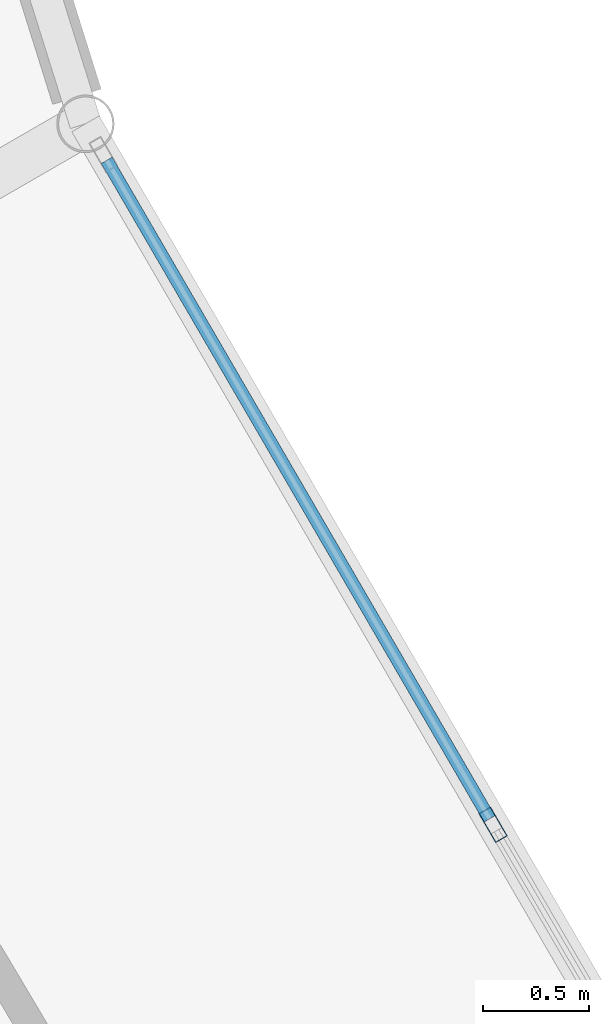
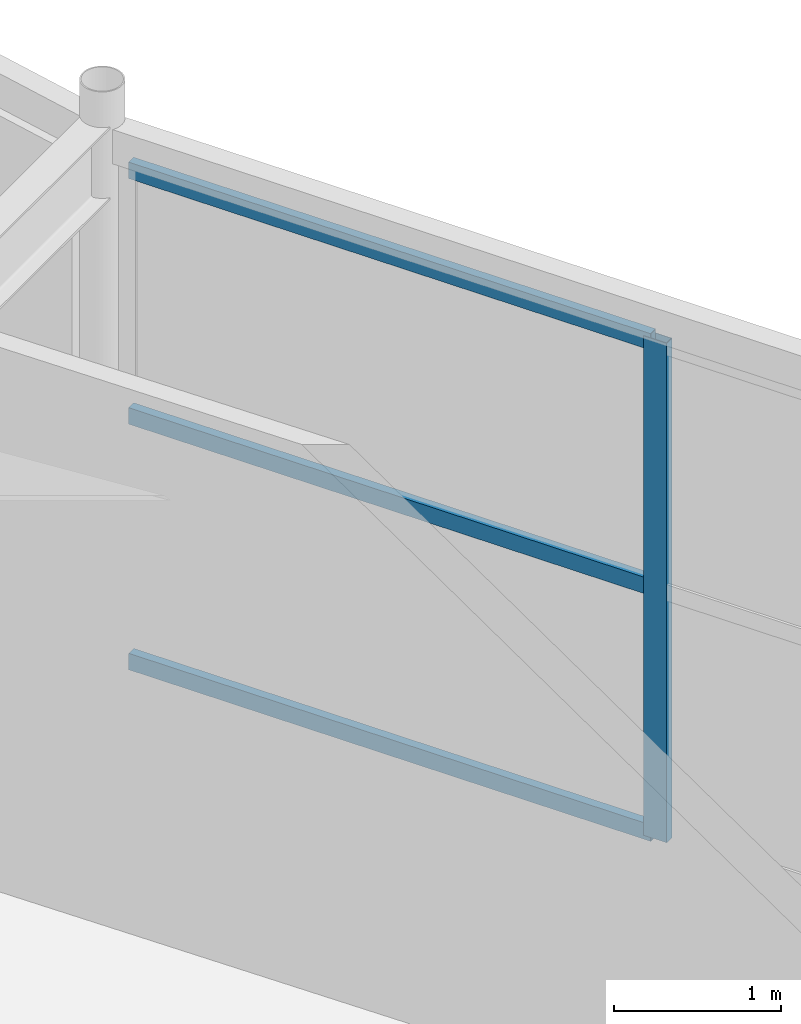
# One storey, part 28 of 148: 4 members, 1 element without a shape of its own.
"""IFC4 building model written with IfcOpenShell, lengths in metres."""

from ifc_helpers import new_model, si_unit, direction, frame, origin, origin_2d, place, context, subcontext, project, spatial, hollow_rectangle, extrude, material, material_profile, profile_set, type_object, element, aggregate, save


model = new_model("IFC4")

# Units and contexts
model_context = context("Model", 3, precision=1e-05, world=origin(), true_north=direction((0.0, 1.0)))
body_context = subcontext(model_context, "Body", "Model", "MODEL_VIEW")
ifc_project = project(units=[si_unit("LENGTHUNIT", "METRE"), si_unit("AREAUNIT", "SQUARE_METRE"), si_unit("VOLUMEUNIT", "CUBIC_METRE"), si_unit("PLANEANGLEUNIT", "RADIAN"), si_unit("MASSUNIT", "GRAM", prefix="KILO")], contexts=[model_context])

# Site, building, storey
site_placement = place(None, origin())
site = spatial("IfcSite", under=ifc_project, at=site_placement, CompositionType="ELEMENT")
building_placement = place(site_placement, origin())
building = spatial("IfcBuilding", under=site, at=building_placement, Name="Karori Crest Natural Sciences Institute", CompositionType="ELEMENT")
storey_placement = place(building_placement, frame((0.0, 0.0, 4.89990234375)))
storey = spatial("IfcBuildingStorey", under=building, at=storey_placement, Name="L01", CompositionType="ELEMENT", Elevation=4.89990234375)

# Curtain wall, members
ifc_material = material(Name="Anodised architectural aluminium 6063-T6", Category="aluminium")
curtain_wall_type = type_object("IfcCurtainWallType", Name="CWT-15", PredefinedType="NOTDEFINED", material=ifc_material)
curtain_wall_placement = place(storey_placement, origin())
curtain_wall = element("IfcCurtainWall", 1, at=curtain_wall_placement, inside=storey, type_object=curtain_wall_type, Name="Curtain wall CW-0051", PredefinedType="NOTDEFINED")
ifc_material_profile_1 = material_profile(ifc_material, hollow_rectangle(XDim=0.06494140625, YDim=0.159912109375, WallThickness=0.00390625, at=origin_2d()), Name="CWM160x65x4")
ifc_profile_set_1 = profile_set([ifc_material_profile_1], Name="Anodised architectural aluminium 6063-T6")
member_type_1 = type_object("IfcMemberType", Name="CWM-01", PredefinedType="MULLION", material=ifc_profile_set_1)
member_1_placement = place(storey_placement, frame((47.1962890625, 30.4853515625, 0.0), z_axis=(0.0, 0.0, 1.0), x_axis=(0.864484379326, 0.502659683982, 0.0)))
member_1 = element("IfcMember", 2, at=member_1_placement, type_object=member_type_1, Name="CW-0051 mullion 2", PredefinedType="MULLION", context=body_context, shape_type="SweptSolid", body=[
    extrude(hollow_rectangle(XDim=0.06494140625, YDim=0.159912109375, WallThickness=0.00390625, at=origin_2d()), origin(), (0.0, 0.0, 1.0), 3.650146484375),
])
ifc_material_profile_2 = material_profile(ifc_material, hollow_rectangle(XDim=0.06005859375, YDim=0.1201171875, WallThickness=0.00390625, at=origin_2d()), Name="CWT120x60x4")
ifc_profile_set_2 = profile_set([ifc_material_profile_2], Name="Anodised architectural aluminium 6063-T6")
member_type_2 = type_object("IfcMemberType", Name="CWT-TR1", PredefinedType="USERDEFINED", material=ifc_profile_set_2)
member_2_placement = place(storey_placement, frame((45.369384765625, 33.62744140625, 0.030029296875), z_axis=(0.502635771548, -0.864498282914, 0.0), x_axis=(0.864498282914, 0.502635771548, 0.0)))
member_2 = element("IfcMember", 3, at=member_2_placement, type_object=member_type_2, Name="CW-0051 transom 1.1", ObjectType="TRANSOM", PredefinedType="USERDEFINED", context=body_context, shape_type="SweptSolid", body=[
    extrude(hollow_rectangle(XDim=0.06005859375, YDim=0.1201171875, WallThickness=0.00390625, at=origin_2d()), origin(), (0.0, 0.0, 1.0), 3.60205078125),
])
member_3_placement = place(storey_placement, frame((45.369384765625, 33.62744140625, 1.8251953125), z_axis=(0.502635771548, -0.864498282914, 0.0), x_axis=(0.864498282914, 0.502635771548, 0.0)))
member_3 = element("IfcMember", 4, at=member_3_placement, type_object=member_type_2, Name="CW-0051 transom 1.2", ObjectType="TRANSOM", PredefinedType="USERDEFINED", context=body_context, shape_type="SweptSolid", body=[
    extrude(hollow_rectangle(XDim=0.06005859375, YDim=0.1201171875, WallThickness=0.00390625, at=origin_2d()), origin(), (0.0, 0.0, 1.0), 3.60205078125),
])
member_4_placement = place(storey_placement, frame((45.369384765625, 33.62744140625, 3.6201171875), z_axis=(0.502635771548, -0.864498282914, 0.0), x_axis=(0.864498282914, 0.502635771548, 0.0)))
member_4 = element("IfcMember", 5, at=member_4_placement, type_object=member_type_2, Name="CW-0051 transom 1.3", ObjectType="TRANSOM", PredefinedType="USERDEFINED", context=body_context, shape_type="SweptSolid", body=[
    extrude(hollow_rectangle(XDim=0.06005859375, YDim=0.1201171875, WallThickness=0.00390625, at=origin_2d()), origin(), (0.0, 0.0, 1.0), 3.60205078125),
])
aggregate(curtain_wall, [member_1, member_2, member_3, member_4])

save(model, "model.ifc")
